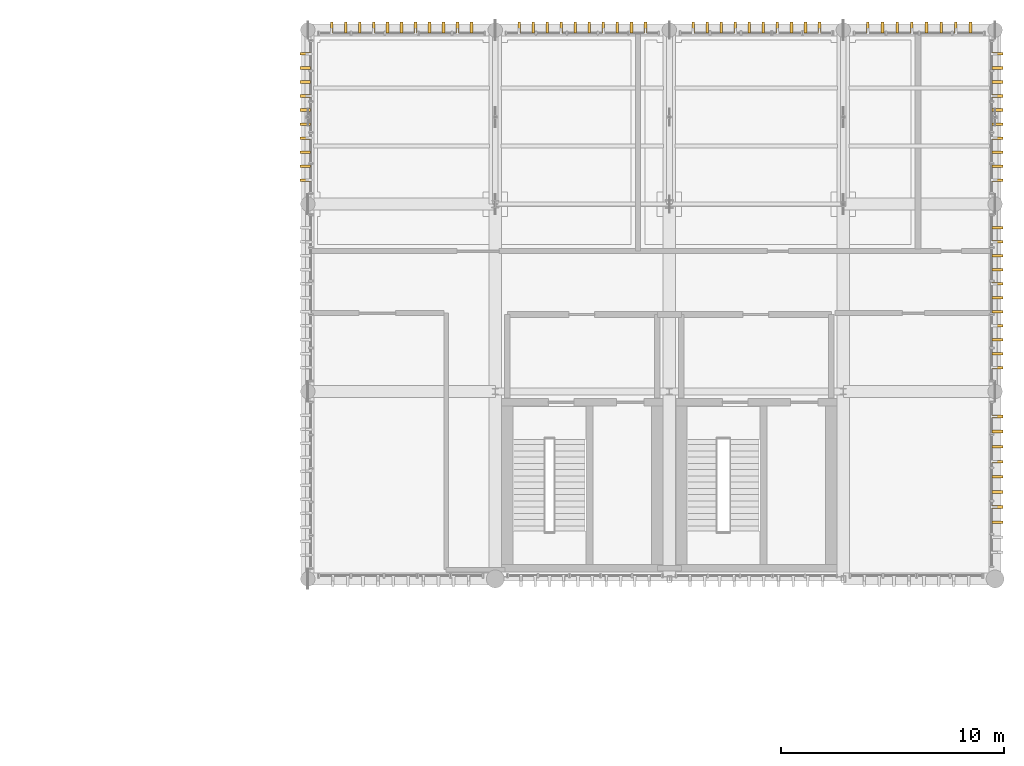
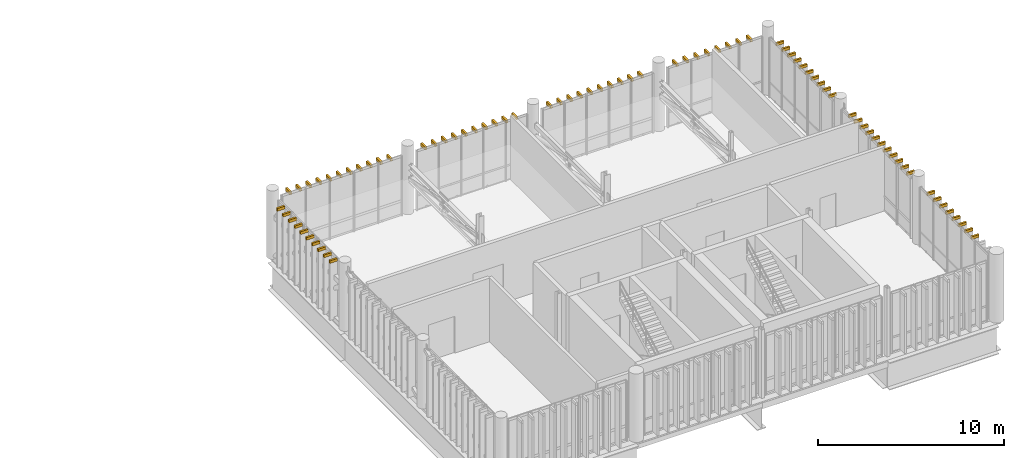
# One storey, part 53 of 53: 78 shading devices.
"""IFC4 building model written with IfcOpenShell, lengths in metres."""

from ifc_helpers import new_model, si_unit, direction, frame, origin_with_axes, origin_2d_with_axis, place, context, subcontext, project, spatial, rectangle, extrude, material, type_object, element, save


model = new_model("IFC4")

# Units and contexts
model_context = context("Model", 3, precision=1e-05, world=origin_with_axes(), true_north=direction((0.0, 1.0)))
body_context = subcontext(model_context, "Body", "Model", "MODEL_VIEW")
ifc_project = project(units=[si_unit("LENGTHUNIT", "METRE"), si_unit("AREAUNIT", "SQUARE_METRE"), si_unit("VOLUMEUNIT", "CUBIC_METRE"), si_unit("PLANEANGLEUNIT", "RADIAN"), si_unit("MASSUNIT", "GRAM", prefix="KILO"), si_unit("THERMODYNAMICTEMPERATUREUNIT", "KELVIN")], contexts=[model_context])

# Site, building, storey
site_placement = place(None, origin_with_axes())
site = spatial("IfcSite", under=ifc_project, at=site_placement, CompositionType="ELEMENT")
building_placement = place(site_placement, origin_with_axes())
building = spatial("IfcBuilding", under=site, at=building_placement, Name="Montbau Bow Law Courts", CompositionType="ELEMENT")
storey_placement = place(building_placement, frame((0.0, 0.0, 39.0), z_axis=(0.0, 0.0, 1.0), x_axis=(1.0, 0.0, 0.0)))
storey = spatial("IfcBuildingStorey", under=building, at=storey_placement, Name="L08", CompositionType="ELEMENT", Elevation=39.0)

# Shading devices
ifc_material = material(Name="Freeze-Thaw Glazed Slate-Grey Ceramic Vertical Louvre", Category="masonry")
shading_device_type = type_object("IfcShadingDeviceType", Name="SH-LVR-SLT", PredefinedType="USERDEFINED", material=ifc_material)
for number, where, z_axis, x_axis, name in (
    (1, (139.667, 111.11, 42.74), (0.0, 0.0, 1.0), (0.0, 1.0, 0.0), "LVR-L08-3268:shd_3268"),
    (2, (140.293, 111.11, 42.74), (0.0, 0.0, 1.0), (0.0, 1.0, 0.0), "LVR-L08-3269:shd_3269"),
    (3, (140.92, 111.11, 42.74), (0.0, 0.0, 1.0), (0.0, 1.0, 0.0), "LVR-L08-3270:shd_3270"),
    (4, (141.547, 111.11, 42.74), (0.0, 0.0, 1.0), (0.0, 1.0, 0.0), "LVR-L08-3271:shd_3271"),
    (5, (142.173, 111.11, 42.74), (0.0, 0.0, 1.0), (0.0, 1.0, 0.0), "LVR-L08-3272:shd_3272"),
    (6, (142.8, 111.11, 42.74), (0.0, 0.0, 1.0), (0.0, 1.0, 0.0), "LVR-L08-3273:shd_3273"),
    (7, (143.427, 111.11, 42.74), (0.0, 0.0, 1.0), (0.0, 1.0, 0.0), "LVR-L08-3274:shd_3274"),
    (8, (144.053, 111.11, 42.74), (0.0, 0.0, 1.0), (0.0, 1.0, 0.0), "LVR-L08-3275:shd_3275"),
    (9, (144.68, 111.11, 42.74), (0.0, 0.0, 1.0), (0.0, 1.0, 0.0), "LVR-L08-3276:shd_3276"),
    (10, (145.307, 111.11, 42.74), (0.0, 0.0, 1.0), (0.0, 1.0, 0.0), "LVR-L08-3277:shd_3277"),
    (11, (145.933, 111.11, 42.74), (0.0, 0.0, 1.0), (0.0, 1.0, 0.0), "LVR-L08-3278:shd_3278"),
    (12, (148.069, 111.11, 42.74), (0.0, 0.0, 1.0), (0.0, 1.0, 0.0), "LVR-L08-3279:shd_3279"),
    (13, (148.698, 111.11, 42.74), (0.0, 0.0, 1.0), (0.0, 1.0, 0.0), "LVR-L08-3280:shd_3280"),
    (14, (149.327, 111.11, 42.74), (0.0, 0.0, 1.0), (0.0, 1.0, 0.0), "LVR-L08-3281:shd_3281"),
    (15, (149.956, 111.11, 42.74), (0.0, 0.0, 1.0), (0.0, 1.0, 0.0), "LVR-L08-3282:shd_3282"),
    (16, (150.585, 111.11, 42.74), (0.0, 0.0, 1.0), (0.0, 1.0, 0.0), "LVR-L08-3283:shd_3283"),
    (17, (151.215, 111.11, 42.74), (0.0, 0.0, 1.0), (0.0, 1.0, 0.0), "LVR-L08-3284:shd_3284"),
    (18, (151.844, 111.11, 42.74), (0.0, 0.0, 1.0), (0.0, 1.0, 0.0), "LVR-L08-3285:shd_3285"),
    (19, (152.473, 111.11, 42.74), (0.0, 0.0, 1.0), (0.0, 1.0, 0.0), "LVR-L08-3286:shd_3286"),
    (20, (153.102, 111.11, 42.74), (0.0, 0.0, 1.0), (0.0, 1.0, 0.0), "LVR-L08-3287:shd_3287"),
    (21, (153.731, 111.11, 42.74), (0.0, 0.0, 1.0), (0.0, 1.0, 0.0), "LVR-L08-3288:shd_3288"),
    (22, (155.869, 111.11, 42.74), (0.0, 0.0, 1.0), (0.0, 1.0, 0.0), "LVR-L08-3289:shd_3289"),
    (23, (156.498, 111.11, 42.74), (0.0, 0.0, 1.0), (0.0, 1.0, 0.0), "LVR-L08-3290:shd_3290"),
    (24, (157.127, 111.11, 42.74), (0.0, 0.0, 1.0), (0.0, 1.0, 0.0), "LVR-L08-3291:shd_3291"),
    (25, (157.756, 111.11, 42.74), (0.0, 0.0, 1.0), (0.0, 1.0, 0.0), "LVR-L08-3292:shd_3292"),
    (26, (158.385, 111.11, 42.74), (0.0, 0.0, 1.0), (0.0, 1.0, 0.0), "LVR-L08-3293:shd_3293"),
    (27, (159.015, 111.11, 42.74), (0.0, 0.0, 1.0), (0.0, 1.0, 0.0), "LVR-L08-3294:shd_3294"),
    (28, (159.644, 111.11, 42.74), (0.0, 0.0, 1.0), (0.0, 1.0, 0.0), "LVR-L08-3295:shd_3295"),
    (29, (160.273, 111.11, 42.74), (0.0, 0.0, 1.0), (0.0, 1.0, 0.0), "LVR-L08-3296:shd_3296"),
    (30, (160.902, 111.11, 42.74), (0.0, 0.0, 1.0), (0.0, 1.0, 0.0), "LVR-L08-3297:shd_3297"),
    (31, (161.531, 111.11, 42.74), (0.0, 0.0, 1.0), (0.0, 1.0, 0.0), "LVR-L08-3298:shd_3298"),
    (32, (163.698, 111.11, 42.74), (0.0, 0.0, 1.0), (0.0, 1.0, 0.0), "LVR-L08-3299:shd_3299"),
    (33, (164.356, 111.11, 42.74), (0.0, 0.0, 1.0), (0.0, 1.0, 0.0), "LVR-L08-3300:shd_3300"),
    (34, (165.013, 111.11, 42.74), (0.0, 0.0, 1.0), (0.0, 1.0, 0.0), "LVR-L08-3301:shd_3301"),
    (35, (165.671, 111.11, 42.74), (0.0, 0.0, 1.0), (0.0, 1.0, 0.0), "LVR-L08-3302:shd_3302"),
    (36, (166.329, 111.11, 42.74), (0.0, 0.0, 1.0), (0.0, 1.0, 0.0), "LVR-L08-3303:shd_3303"),
    (37, (166.987, 111.11, 42.74), (0.0, 0.0, 1.0), (0.0, 1.0, 0.0), "LVR-L08-3304:shd_3304"),
    (38, (167.644, 111.11, 42.74), (0.0, 0.0, 1.0), (0.0, 1.0, 0.0), "LVR-L08-3305:shd_3305"),
    (39, (168.302, 111.11, 42.74), (0.0, 0.0, 1.0), (0.0, 1.0, 0.0), "LVR-L08-3306:shd_3306"),
    (40, (138.49, 104.269, 42.74), (0.0, 0.0, 1.0), (-1.0, 0.0, 0.0), "LVR-L08-3329:shd_3329"),
    (41, (138.49, 104.898, 42.74), (0.0, 0.0, 1.0), (-1.0, 0.0, 0.0), "LVR-L08-3330:shd_3330"),
    (42, (138.49, 105.527, 42.74), (0.0, 0.0, 1.0), (-1.0, 0.0, 0.0), "LVR-L08-3331:shd_3331"),
    (43, (138.49, 106.156, 42.74), (0.0, 0.0, 1.0), (-1.0, 0.0, 0.0), "LVR-L08-3332:shd_3332"),
    (44, (138.49, 106.785, 42.74), (0.0, 0.0, 1.0), (-1.0, 0.0, 0.0), "LVR-L08-3333:shd_3333"),
    (45, (138.49, 107.415, 42.74), (0.0, 0.0, 1.0), (-1.0, 0.0, 0.0), "LVR-L08-3334:shd_3334"),
    (46, (138.49, 108.044, 42.74), (0.0, 0.0, 1.0), (-1.0, 0.0, 0.0), "LVR-L08-3335:shd_3335"),
    (47, (138.49, 108.673, 42.74), (0.0, 0.0, 1.0), (-1.0, 0.0, 0.0), "LVR-L08-3336:shd_3336"),
    (48, (138.49, 109.302, 42.74), (0.0, 0.0, 1.0), (-1.0, 0.0, 0.0), "LVR-L08-3337:shd_3337"),
    (49, (138.49, 109.931, 42.74), (0.0, 0.0, 1.0), (-1.0, 0.0, 0.0), "LVR-L08-3338:shd_3338"),
    (50, (169.51, 88.945, 42.74), (0.0, 0.0, 1.0), (1.0, 0.0, 0.0), "LVR-L08-3341:shd_3341"),
    (51, (169.51, 89.622, 42.74), (0.0, 0.0, 1.0), (1.0, 0.0, 0.0), "LVR-L08-3342:shd_3342"),
    (52, (169.51, 90.299, 42.74), (0.0, 0.0, 1.0), (1.0, 0.0, 0.0), "LVR-L08-3343:shd_3343"),
    (53, (169.51, 90.976, 42.74), (0.0, 0.0, 1.0), (1.0, 0.0, 0.0), "LVR-L08-3344:shd_3344"),
    (54, (169.51, 91.653, 42.74), (0.0, 0.0, 1.0), (1.0, 0.0, 0.0), "LVR-L08-3345:shd_3345"),
    (55, (169.51, 92.33, 42.74), (0.0, 0.0, 1.0), (1.0, 0.0, 0.0), "LVR-L08-3346:shd_3346"),
    (56, (169.51, 93.006, 42.74), (0.0, 0.0, 1.0), (1.0, 0.0, 0.0), "LVR-L08-3347:shd_3347"),
    (57, (169.51, 93.683, 42.74), (0.0, 0.0, 1.0), (1.0, 0.0, 0.0), "LVR-L08-3348:shd_3348"),
    (58, (169.51, 95.867, 42.74), (0.0, 0.0, 1.0), (1.0, 0.0, 0.0), "LVR-L08-3349:shd_3349"),
    (59, (169.51, 96.493, 42.74), (0.0, 0.0, 1.0), (1.0, 0.0, 0.0), "LVR-L08-3350:shd_3350"),
    (60, (169.51, 97.12, 42.74), (0.0, 0.0, 1.0), (1.0, 0.0, 0.0), "LVR-L08-3351:shd_3351"),
    (61, (169.51, 97.747, 42.74), (0.0, 0.0, 1.0), (1.0, 0.0, 0.0), "LVR-L08-3352:shd_3352"),
    (62, (169.51, 98.373, 42.74), (0.0, 0.0, 1.0), (1.0, 0.0, 0.0), "LVR-L08-3353:shd_3353"),
    (63, (169.51, 99.0, 42.74), (0.0, 0.0, 1.0), (1.0, 0.0, 0.0), "LVR-L08-3354:shd_3354"),
    (64, (169.51, 99.627, 42.74), (0.0, 0.0, 1.0), (1.0, 0.0, 0.0), "LVR-L08-3355:shd_3355"),
    (65, (169.51, 100.253, 42.74), (0.0, 0.0, 1.0), (1.0, 0.0, 0.0), "LVR-L08-3356:shd_3356"),
    (66, (169.51, 100.88, 42.74), (0.0, 0.0, 1.0), (1.0, 0.0, 0.0), "LVR-L08-3357:shd_3357"),
    (67, (169.51, 101.507, 42.74), (0.0, 0.0, 1.0), (1.0, 0.0, 0.0), "LVR-L08-3358:shd_3358"),
    (68, (169.51, 102.133, 42.74), (0.0, 0.0, 1.0), (1.0, 0.0, 0.0), "LVR-L08-3359:shd_3359"),
    (69, (169.51, 104.269, 42.74), (0.0, 0.0, 1.0), (1.0, 0.0, 0.0), "LVR-L08-3360:shd_3360"),
    (70, (169.51, 104.898, 42.74), (0.0, 0.0, 1.0), (1.0, 0.0, 0.0), "LVR-L08-3361:shd_3361"),
    (71, (169.51, 105.527, 42.74), (0.0, 0.0, 1.0), (1.0, 0.0, 0.0), "LVR-L08-3362:shd_3362"),
    (72, (169.51, 106.156, 42.74), (0.0, 0.0, 1.0), (1.0, 0.0, 0.0), "LVR-L08-3363:shd_3363"),
    (73, (169.51, 106.785, 42.74), (0.0, 0.0, 1.0), (1.0, 0.0, 0.0), "LVR-L08-3364:shd_3364"),
    (74, (169.51, 107.415, 42.74), (0.0, 0.0, 1.0), (1.0, 0.0, 0.0), "LVR-L08-3365:shd_3365"),
    (75, (169.51, 108.044, 42.74), (0.0, 0.0, 1.0), (1.0, 0.0, 0.0), "LVR-L08-3366:shd_3366"),
    (76, (169.51, 108.673, 42.74), (0.0, 0.0, 1.0), (1.0, 0.0, 0.0), "LVR-L08-3367:shd_3367"),
    (77, (169.51, 109.302, 42.74), (0.0, 0.0, 1.0), (1.0, 0.0, 0.0), "LVR-L08-3368:shd_3368"),
    (78, (169.51, 109.931, 42.74), (0.0, 0.0, 1.0), (1.0, 0.0, 0.0), "LVR-L08-3369:shd_3369"),
):
    element("IfcShadingDevice", number, at=place(None, frame(where, z_axis=z_axis, x_axis=x_axis)), inside=storey, type_object=shading_device_type, Name=name, ObjectType="LOUVRE", PredefinedType="USERDEFINED", context=body_context, shape_type="SweptSolid", body=[
        extrude(rectangle(XDim=0.48, YDim=0.12, at=origin_2d_with_axis()), origin_with_axes(), (0.0, 0.0, 1.0), 0.18),
    ])

save(model, "model.ifc")
